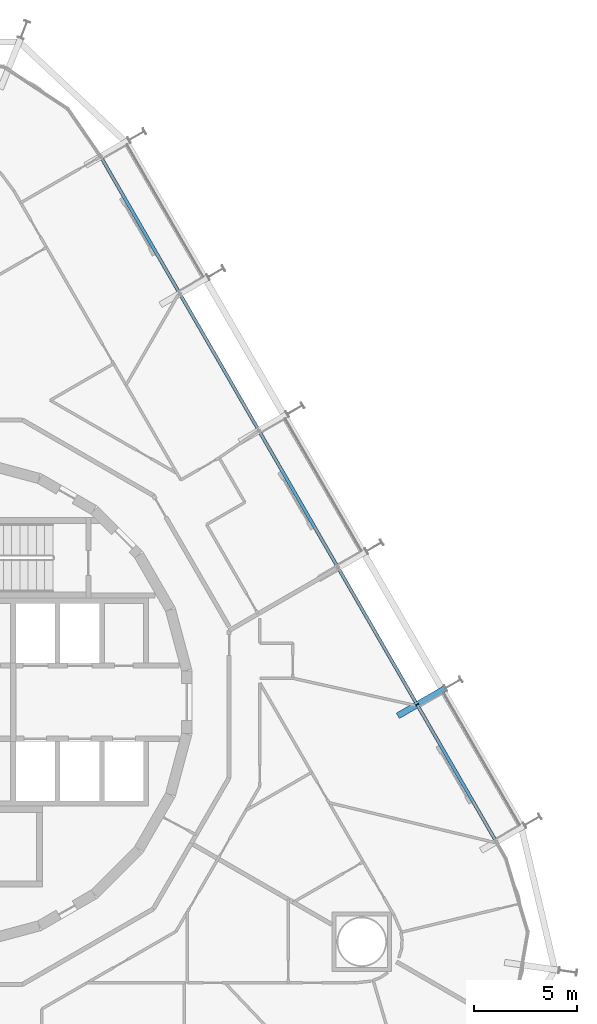
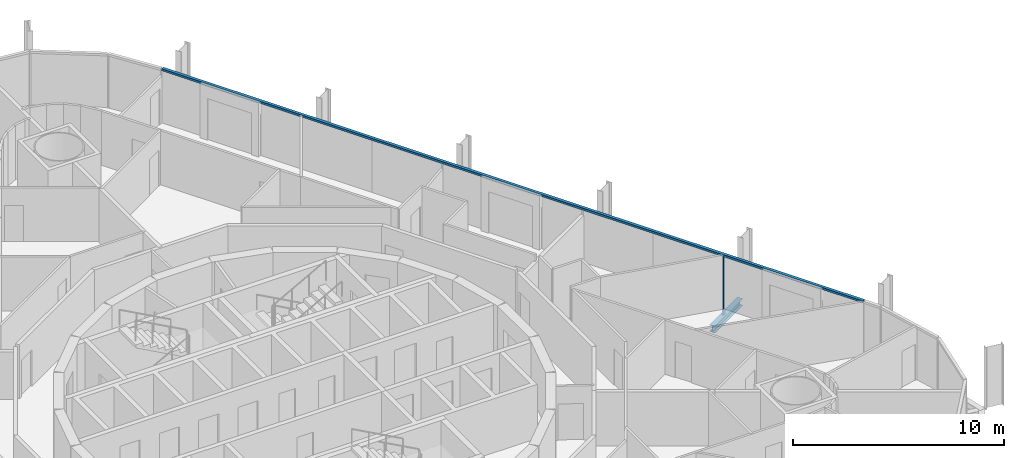
# One storey, part 7 of 21: 2 members, 1 beam, 1 element without a shape of its own.
"""IFC4 building model written with IfcOpenShell, lengths in metres."""

from ifc_helpers import new_model, si_unit, direction, frame, origin, origin_2d, place, context, subcontext, project, spatial, rectangle, i_section, extrude, material, layer, layer_set, material_profile, profile_set, type_object, element, aggregate, save


model = new_model("IFC4")

# Units and contexts
model_context = context("Model", 3, precision=1e-05, world=origin(), true_north=direction((0.0, 1.0)))
body_context = subcontext(model_context, "Body", "Model", "MODEL_VIEW")
ifc_project = project(units=[si_unit("LENGTHUNIT", "METRE"), si_unit("AREAUNIT", "SQUARE_METRE"), si_unit("VOLUMEUNIT", "CUBIC_METRE"), si_unit("PLANEANGLEUNIT", "RADIAN"), si_unit("MASSUNIT", "GRAM", prefix="KILO")], contexts=[model_context])

# Site, building, storey
site_placement = place(None, origin())
site = spatial("IfcSite", under=ifc_project, at=site_placement, CompositionType="ELEMENT")
building_placement = place(site_placement, origin())
building = spatial("IfcBuilding", under=site, at=building_placement, Name="Spindle Arch Residences", CompositionType="ELEMENT")
storey_placement = place(building_placement, frame((0.0, 0.0, 48.89990234375)))
storey = spatial("IfcBuildingStorey", under=building, at=storey_placement, Name="L10", CompositionType="ELEMENT", Elevation=48.89990234375)

# Curtain wall, members
ifc_material_1 = material(Name="Aluminium bronze unitised frame with tinted glass", Category="aluminium")
ifc_layer = layer(ifc_material_1, 0.159912109375)
ifc_layer_set = layer_set([ifc_layer], Name="CW-C typical residential unitised wall")
curtain_wall_type = type_object("IfcCurtainWallType", Name="CW-C typical residential unitised wall", PredefinedType="NOTDEFINED", material=ifc_layer_set)
curtain_wall_placement = place(storey_placement, origin())
curtain_wall = element("IfcCurtainWall", 1, at=curtain_wall_placement, inside=storey, type_object=curtain_wall_type, Name="CW-C L10 run 2", PredefinedType="NOTDEFINED")
ifc_material_2 = material(Name="Aluminium bronze anodised mullion", Category="aluminium")
ifc_material_profile_1 = material_profile(ifc_material_2, rectangle(XDim=0.159912109375, YDim=0.06005859375, at=origin_2d()), Name="MU 60x160")
ifc_profile_set_1 = profile_set([ifc_material_profile_1], Name="Aluminium bronze anodised mullion")
member_type_1 = type_object("IfcMemberType", Name="Bronze mullion 60x160", PredefinedType="MULLION", material=ifc_profile_set_1)
member_1_placement = place(storey_placement, frame((22.829345703125, -0.121826171875, -0.3798828125), z_axis=(0.0, 0.0, 1.0), x_axis=(-0.866025403784, -0.5, 0.0)))
member_1 = element("IfcMember", 2, at=member_1_placement, type_object=member_type_1, Name="CW-C mullion 06", PredefinedType="MULLION", context=body_context, shape_type="SweptSolid", body=[
    extrude(rectangle(XDim=0.159912109375, YDim=0.06005859375, at=origin_2d()), origin(), (0.0, 0.0, 1.0), 3.3798828125),
])
ifc_material_3 = material(Name="Aluminium bronze anodised transom", Category="aluminium")
ifc_material_profile_2 = material_profile(ifc_material_3, rectangle(XDim=0.159912109375, YDim=0.1201171875, at=origin_2d()), Name="TR 120x160")
ifc_profile_set_2 = profile_set([ifc_material_profile_2], Name="Aluminium bronze anodised transom")
member_type_2 = type_object("IfcMemberType", Name="Bronze transom 120x160", PredefinedType="USERDEFINED", material=ifc_profile_set_2)
member_2_placement = place(storey_placement, frame((26.654296875, -6.746826171875, 3.06005859375), z_axis=(-0.50000099666, 0.866024828362, 0.0), x_axis=(-0.866024828362, -0.50000099666, 0.0)))
member_2 = element("IfcMember", 3, at=member_2_placement, type_object=member_type_2, Name="CW-C transom 00", ObjectType="TRANSOM", PredefinedType="USERDEFINED", context=body_context, shape_type="SweptSolid", body=[
    extrude(rectangle(XDim=0.159912109375, YDim=0.1201171875, at=origin_2d()), origin(), (0.0, 0.0, 1.0), 38.34033203125),
])
aggregate(curtain_wall, [member_2, member_1])

# Beam
ifc_material_4 = material(Name="Steel S460ML, intumescent coating R 120", Category="steel")
ifc_material_profile_3 = material_profile(ifc_material_4, i_section(OverallWidth=0.300048828125, OverallDepth=0.389892578125, WebThickness=0.010986328125, FlangeThickness=0.01904296875, FilletRadius=0.027099609375, at=origin_2d()), Name="HEA 400")
ifc_profile_set_3 = profile_set([ifc_material_profile_3], Name="Steel S460ML, intumescent coating R 120")
beam_type = type_object("IfcBeamType", Name="Floor outrigger HEA 400", PredefinedType="BEAM", material=ifc_profile_set_3)
beam_placement = place(storey_placement, frame((24.18896484375, 0.6630859375, -0.574951171875), z_axis=(-0.866029095148, -0.499993606316, 0.0), x_axis=(0.499993606316, -0.866029095148, 0.0)))
element("IfcBeam", 4, at=beam_placement, inside=storey, type_object=beam_type, Name="Floor outrigger 7", PredefinedType="BEAM", context=body_context, shape_type="SweptSolid", body=[
    extrude(i_section(OverallWidth=0.300048828125, OverallDepth=0.389892578125, WebThickness=0.010986328125, FlangeThickness=0.01904296875, FilletRadius=0.027099609375, at=origin_2d()), origin(), (0.0, 0.0, 1.0), 2.64990234375),
])

save(model, "model.ifc")
